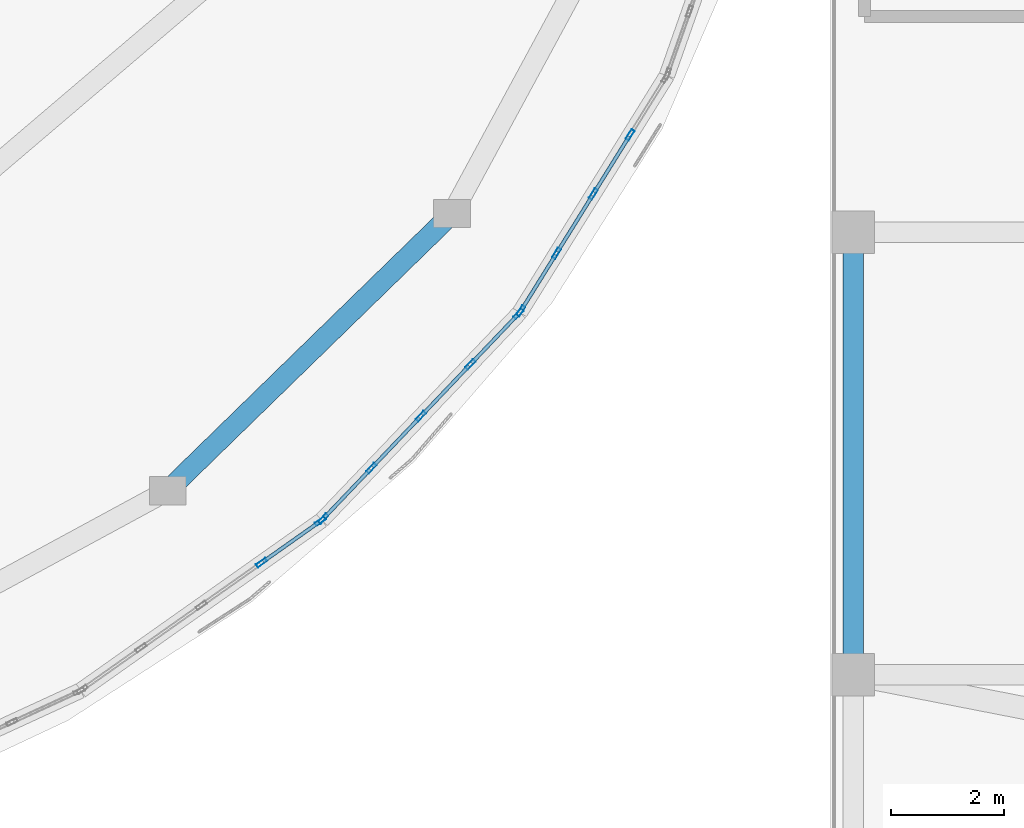
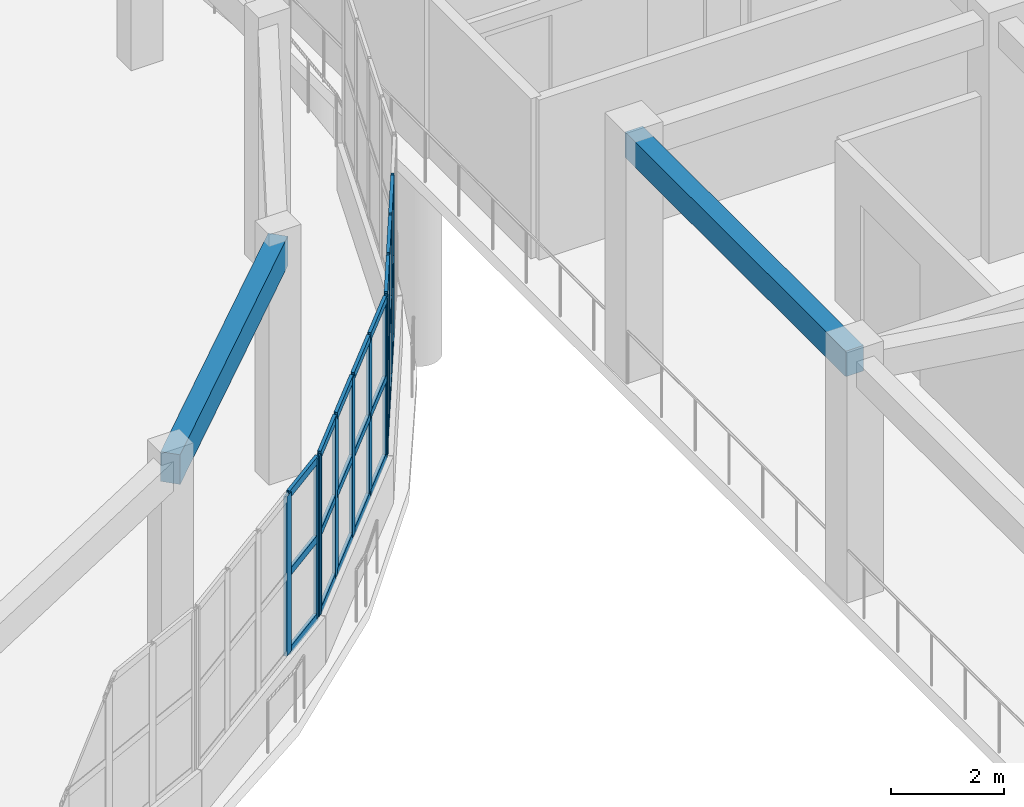
# One storey, part 52 of 96: 35 members, 2 beams, 3 elements without a shape of their own.
"""IFC4 building model written with IfcOpenShell, lengths in metres."""

from ifc_helpers import new_model, si_unit, direction, frame, origin, origin_2d, place, context, subcontext, project, spatial, rectangle, hollow_rectangle, extrude, material, layer, layer_set, material_profile, profile_set, type_object, element, aggregate, save


model = new_model("IFC4")

# Units and contexts
model_context = context("Model", 3, precision=1e-05, world=origin(), true_north=direction((0.0, 1.0)))
body_context = subcontext(model_context, "Body", "Model", "MODEL_VIEW")
ifc_project = project(units=[si_unit("LENGTHUNIT", "METRE"), si_unit("AREAUNIT", "SQUARE_METRE"), si_unit("VOLUMEUNIT", "CUBIC_METRE"), si_unit("PLANEANGLEUNIT", "RADIAN"), si_unit("MASSUNIT", "GRAM", prefix="KILO")], contexts=[model_context])

# Site, building, storey
site_placement = place(None, origin())
site = spatial("IfcSite", under=ifc_project, at=site_placement, CompositionType="ELEMENT")
building_placement = place(site_placement, origin())
building = spatial("IfcBuilding", under=site, at=building_placement, Name="Pelvatis Terrace Science Centre", CompositionType="ELEMENT")
storey_placement = place(building_placement, origin())
storey = spatial("IfcBuildingStorey", under=building, at=storey_placement, Name="L00", CompositionType="ELEMENT", Elevation=0.0)

# Beam
ifc_material_1 = material(Name="Concrete C35/45", Category="concrete")
ifc_material_profile_1 = material_profile(ifc_material_1, rectangle(XDim=0.360107421875, YDim=0.550048828125, at=origin_2d()), Name="RC-BM 360x550")
ifc_profile_set_1 = profile_set([ifc_material_profile_1], Name="Concrete C35/45")
beam_type_1 = type_object("IfcBeamType", Name="BM-RC-360x550", PredefinedType="BEAM", material=ifc_profile_set_1)
beam_1_placement = place(storey_placement, frame((140.800048828125, 62.39990234375, 4.864990234375), z_axis=(0.0, 1.0, 0.0), x_axis=(-1.0, 0.0, 0.0)))
element("IfcBeam", 1, at=beam_1_placement, inside=storey, type_object=beam_type_1, Name="Beam BM-L00-2483", PredefinedType="BEAM", context=body_context, shape_type="SweptSolid", body=[
    extrude(rectangle(XDim=0.360107421875, YDim=0.550048828125, at=origin_2d()), origin(), (0.0, 0.0, 1.0), 7.800048828125),
])

# Curtain wall, members
ifc_material_2 = material(Name="Bronze-anodised aluminium and laminated glass", Category="aluminium")
ifc_layer = layer(ifc_material_2, 0.199951171875)
ifc_layer_set = layer_set([ifc_layer], Name="Bronze-anodised aluminium and laminated glass")
curtain_wall_type = type_object("IfcCurtainWallType", Name="CW-RIBBON-B", PredefinedType="NOTDEFINED", material=ifc_layer_set)
curtain_wall_1_placement = place(storey_placement, origin())
curtain_wall_1 = element("IfcCurtainWall", 2, at=curtain_wall_1_placement, inside=storey, type_object=curtain_wall_type, Name="Ribbon curtain wall CW-122 (L00)", PredefinedType="NOTDEFINED")
ifc_material_3 = material(Name="Bronze-anodised aluminium 6063-T6", Category="aluminium")
ifc_material_profile_2 = material_profile(ifc_material_3, hollow_rectangle(XDim=0.06494140625, YDim=0.199951171875, WallThickness=0.00439453125, at=origin_2d()), Name="ALU-MUL 65x200")
ifc_profile_set_2 = profile_set([ifc_material_profile_2], Name="Bronze-anodised aluminium 6063-T6")
member_type_1 = type_object("IfcMemberType", Name="CWM-65x200", PredefinedType="MULLION", material=ifc_profile_set_2)
member_1_placement = place(storey_placement, frame((130.37158203125, 64.37255859375, 1.02001953125), z_axis=(0.0, 0.0, 1.0), x_axis=(-0.577064835369, 0.816698338299, 0.0)))
member_1 = element("IfcMember", 3, at=member_1_placement, type_object=member_type_1, Name="CW-122 mullion 4", PredefinedType="MULLION", context=body_context, shape_type="SweptSolid", body=[
    extrude(hollow_rectangle(XDim=0.06494140625, YDim=0.199951171875, WallThickness=0.00439453125, at=origin_2d()), origin(), (0.0, 0.0, 1.0), 3.43994140625),
])
member_2_placement = place(storey_placement, frame((131.40771484375, 65.104736328125, 1.02001953125), z_axis=(0.0, 0.0, 1.0), x_axis=(-0.577064835369, 0.816698338299, 0.0)))
member_2 = element("IfcMember", 4, at=member_2_placement, type_object=member_type_1, Name="CW-122 mullion 5", PredefinedType="MULLION", context=body_context, shape_type="SweptSolid", body=[
    extrude(hollow_rectangle(XDim=0.06494140625, YDim=0.199951171875, WallThickness=0.00439453125, at=origin_2d()), origin(), (0.0, 0.0, 1.0), 3.43994140625),
])

curtain_wall_2_placement = place(storey_placement, origin())
curtain_wall_2 = element("IfcCurtainWall", 5, at=curtain_wall_2_placement, inside=storey, type_object=curtain_wall_type, Name="Ribbon curtain wall CW-123 (L00)", PredefinedType="NOTDEFINED")
member_3_placement = place(storey_placement, frame((131.456787109375, 65.14697265625, 1.02001953125), z_axis=(0.0, 0.0, 1.0), x_axis=(-0.723834942686, 0.689973170309, 0.0)))
member_3 = element("IfcMember", 6, at=member_3_placement, type_object=member_type_1, Name="CW-123 mullion 1", PredefinedType="MULLION", context=body_context, shape_type="SweptSolid", body=[
    extrude(hollow_rectangle(XDim=0.06494140625, YDim=0.199951171875, WallThickness=0.00439453125, at=origin_2d()), origin(), (0.0, 0.0, 1.0), 3.43994140625),
])
member_4_placement = place(storey_placement, frame((132.306396484375, 66.038330078125, 1.02001953125), z_axis=(0.0, 0.0, 1.0), x_axis=(-0.723834942686, 0.689973170309, 0.0)))
member_4 = element("IfcMember", 7, at=member_4_placement, type_object=member_type_1, Name="CW-123 mullion 2", PredefinedType="MULLION", context=body_context, shape_type="SweptSolid", body=[
    extrude(hollow_rectangle(XDim=0.06494140625, YDim=0.199951171875, WallThickness=0.00439453125, at=origin_2d()), origin(), (0.0, 0.0, 1.0), 3.43994140625),
])
member_5_placement = place(storey_placement, frame((133.178466796875, 66.953125, 1.02001953125), z_axis=(0.0, 0.0, 1.0), x_axis=(-0.723834942686, 0.689973170309, 0.0)))
member_5 = element("IfcMember", 8, at=member_5_placement, type_object=member_type_1, Name="CW-123 mullion 3", PredefinedType="MULLION", context=body_context, shape_type="SweptSolid", body=[
    extrude(hollow_rectangle(XDim=0.06494140625, YDim=0.199951171875, WallThickness=0.00439453125, at=origin_2d()), origin(), (0.0, 0.0, 1.0), 3.43994140625),
])
member_6_placement = place(storey_placement, frame((134.050537109375, 67.8681640625, 1.02001953125), z_axis=(0.0, 0.0, 1.0), x_axis=(-0.723834942686, 0.689973170309, 0.0)))
member_6 = element("IfcMember", 9, at=member_6_placement, type_object=member_type_1, Name="CW-123 mullion 4", PredefinedType="MULLION", context=body_context, shape_type="SweptSolid", body=[
    extrude(hollow_rectangle(XDim=0.06494140625, YDim=0.199951171875, WallThickness=0.00439453125, at=origin_2d()), origin(), (0.0, 0.0, 1.0), 3.43994140625),
])
member_7_placement = place(storey_placement, frame((134.900390625, 68.759521484375, 1.02001953125), z_axis=(0.0, 0.0, 1.0), x_axis=(-0.723834942686, 0.689973170309, 0.0)))
member_7 = element("IfcMember", 10, at=member_7_placement, type_object=member_type_1, Name="CW-123 mullion 5", PredefinedType="MULLION", context=body_context, shape_type="SweptSolid", body=[
    extrude(hollow_rectangle(XDim=0.06494140625, YDim=0.199951171875, WallThickness=0.00439453125, at=origin_2d()), origin(), (0.0, 0.0, 1.0), 3.43994140625),
])

curtain_wall_3_placement = place(storey_placement, origin())
curtain_wall_3 = element("IfcCurtainWall", 11, at=curtain_wall_3_placement, inside=storey, type_object=curtain_wall_type, Name="Ribbon curtain wall CW-124 (L00)", PredefinedType="NOTDEFINED")
member_8_placement = place(storey_placement, frame((134.93994140625, 68.810546875, 1.02001953125), z_axis=(0.0, 0.0, 1.0), x_axis=(-0.849585771235, 0.527450488022, 0.0)))
member_8 = element("IfcMember", 12, at=member_8_placement, type_object=member_type_1, Name="CW-124 mullion 1", PredefinedType="MULLION", context=body_context, shape_type="SweptSolid", body=[
    extrude(hollow_rectangle(XDim=0.06494140625, YDim=0.199951171875, WallThickness=0.00439453125, at=origin_2d()), origin(), (0.0, 0.0, 1.0), 3.43994140625),
])
member_9_placement = place(storey_placement, frame((135.57080078125, 69.826904296875, 1.02001953125), z_axis=(0.0, 0.0, 1.0), x_axis=(-0.849585771235, 0.527450488022, 0.0)))
member_9 = element("IfcMember", 13, at=member_9_placement, type_object=member_type_1, Name="CW-124 mullion 2", PredefinedType="MULLION", context=body_context, shape_type="SweptSolid", body=[
    extrude(hollow_rectangle(XDim=0.06494140625, YDim=0.199951171875, WallThickness=0.00439453125, at=origin_2d()), origin(), (0.0, 0.0, 1.0), 3.43994140625),
])
member_10_placement = place(storey_placement, frame((136.21875, 70.87060546875, 1.02001953125), z_axis=(0.0, 0.0, 1.0), x_axis=(-0.849585771235, 0.527450488022, 0.0)))
member_10 = element("IfcMember", 14, at=member_10_placement, type_object=member_type_1, Name="CW-124 mullion 3", PredefinedType="MULLION", context=body_context, shape_type="SweptSolid", body=[
    extrude(hollow_rectangle(XDim=0.06494140625, YDim=0.199951171875, WallThickness=0.00439453125, at=origin_2d()), origin(), (0.0, 0.0, 1.0), 3.43994140625),
])
member_11_placement = place(storey_placement, frame((136.86669921875, 71.914306640625, 1.02001953125), z_axis=(0.0, 0.0, 1.0), x_axis=(-0.849585771235, 0.527450488022, 0.0)))
member_11 = element("IfcMember", 15, at=member_11_placement, type_object=member_type_1, Name="CW-124 mullion 4", PredefinedType="MULLION", context=body_context, shape_type="SweptSolid", body=[
    extrude(hollow_rectangle(XDim=0.06494140625, YDim=0.199951171875, WallThickness=0.00439453125, at=origin_2d()), origin(), (0.0, 0.0, 1.0), 3.43994140625),
])

# Member
ifc_material_4 = material(Name="Bronze-anodised aluminium 6063-T6", Category="aluminium")
ifc_material_profile_3 = material_profile(ifc_material_4, hollow_rectangle(XDim=0.06494140625, YDim=0.159912109375, WallThickness=0.00390625, at=origin_2d()), Name="ALU-TRN 65x160")
ifc_profile_set_3 = profile_set([ifc_material_profile_3], Name="Bronze-anodised aluminium 6063-T6")
member_type_2 = type_object("IfcMemberType", Name="CWT-65x160", PredefinedType="USERDEFINED", material=ifc_profile_set_3)
member_12_placement = place(storey_placement, frame((130.398193359375, 64.391357421875, 1.052490234375), z_axis=(0.816669805215, 0.577105215061, 0.0), x_axis=(-0.577105215061, 0.816669805215, 0.0)))
member_12 = element("IfcMember", 16, at=member_12_placement, type_object=member_type_2, Name="CW-122 transom 4.1", ObjectType="TRANSOM", PredefinedType="USERDEFINED", context=body_context, shape_type="SweptSolid", body=[
    extrude(hollow_rectangle(XDim=0.06494140625, YDim=0.159912109375, WallThickness=0.00390625, at=origin_2d()), origin(), (0.0, 0.0, 1.0), 1.20361328125),
])

member_13_placement = place(storey_placement, frame((130.398193359375, 64.391357421875, 2.739990234375), z_axis=(0.816669805215, 0.577105215061, 0.0), x_axis=(-0.577105215061, 0.816669805215, 0.0)))
member_13 = element("IfcMember", 17, at=member_13_placement, type_object=member_type_2, Name="CW-122 transom 4.2", ObjectType="TRANSOM", PredefinedType="USERDEFINED", context=body_context, shape_type="SweptSolid", body=[
    extrude(hollow_rectangle(XDim=0.06494140625, YDim=0.159912109375, WallThickness=0.00390625, at=origin_2d()), origin(), (0.0, 0.0, 1.0), 1.20361328125),
])

member_14_placement = place(storey_placement, frame((130.398193359375, 64.391357421875, 4.427490234375), z_axis=(0.816669805215, 0.577105215061, 0.0), x_axis=(-0.577105215061, 0.816669805215, 0.0)))
member_14 = element("IfcMember", 18, at=member_14_placement, type_object=member_type_2, Name="CW-122 transom 4.3", ObjectType="TRANSOM", PredefinedType="USERDEFINED", context=body_context, shape_type="SweptSolid", body=[
    extrude(hollow_rectangle(XDim=0.06494140625, YDim=0.159912109375, WallThickness=0.00390625, at=origin_2d()), origin(), (0.0, 0.0, 1.0), 1.20361328125),
])

aggregate(curtain_wall_1, [member_1, member_2, member_12, member_13, member_14])

member_15_placement = place(storey_placement, frame((131.479248046875, 65.17041015625, 1.052490234375), z_axis=(0.68984329256, 0.72395872238, 0.0), x_axis=(-0.72395872238, 0.68984329256, 0.0)))
member_15 = element("IfcMember", 19, at=member_15_placement, type_object=member_type_2, Name="CW-123 transom 1.1", ObjectType="TRANSOM", PredefinedType="USERDEFINED", context=body_context, shape_type="SweptSolid", body=[
    extrude(hollow_rectangle(XDim=0.06494140625, YDim=0.159912109375, WallThickness=0.00390625, at=origin_2d()), origin(), (0.0, 0.0, 1.0), 1.16650390625),
])

member_16_placement = place(storey_placement, frame((131.479248046875, 65.17041015625, 2.739990234375), z_axis=(0.68984329256, 0.72395872238, 0.0), x_axis=(-0.72395872238, 0.68984329256, 0.0)))
member_16 = element("IfcMember", 20, at=member_16_placement, type_object=member_type_2, Name="CW-123 transom 1.2", ObjectType="TRANSOM", PredefinedType="USERDEFINED", context=body_context, shape_type="SweptSolid", body=[
    extrude(hollow_rectangle(XDim=0.06494140625, YDim=0.159912109375, WallThickness=0.00390625, at=origin_2d()), origin(), (0.0, 0.0, 1.0), 1.16650390625),
])

member_17_placement = place(storey_placement, frame((131.479248046875, 65.17041015625, 4.427490234375), z_axis=(0.68984329256, 0.72395872238, 0.0), x_axis=(-0.72395872238, 0.68984329256, 0.0)))
member_17 = element("IfcMember", 21, at=member_17_placement, type_object=member_type_2, Name="CW-123 transom 1.3", ObjectType="TRANSOM", PredefinedType="USERDEFINED", context=body_context, shape_type="SweptSolid", body=[
    extrude(hollow_rectangle(XDim=0.06494140625, YDim=0.159912109375, WallThickness=0.00390625, at=origin_2d()), origin(), (0.0, 0.0, 1.0), 1.16650390625),
])

member_18_placement = place(storey_placement, frame((132.328857421875, 66.061767578125, 1.052490234375), z_axis=(0.689899198956, 0.723905446367, 0.0), x_axis=(-0.723905446367, 0.689899198956, 0.0)))
member_18 = element("IfcMember", 22, at=member_18_placement, type_object=member_type_2, Name="CW-123 transom 2.1", ObjectType="TRANSOM", PredefinedType="USERDEFINED", context=body_context, shape_type="SweptSolid", body=[
    extrude(hollow_rectangle(XDim=0.06494140625, YDim=0.159912109375, WallThickness=0.00390625, at=origin_2d()), origin(), (0.0, 0.0, 1.0), 1.198974609375),
])

member_19_placement = place(storey_placement, frame((132.328857421875, 66.061767578125, 2.739990234375), z_axis=(0.689899198956, 0.723905446367, 0.0), x_axis=(-0.723905446367, 0.689899198956, 0.0)))
member_19 = element("IfcMember", 23, at=member_19_placement, type_object=member_type_2, Name="CW-123 transom 2.2", ObjectType="TRANSOM", PredefinedType="USERDEFINED", context=body_context, shape_type="SweptSolid", body=[
    extrude(hollow_rectangle(XDim=0.06494140625, YDim=0.159912109375, WallThickness=0.00390625, at=origin_2d()), origin(), (0.0, 0.0, 1.0), 1.198974609375),
])

member_20_placement = place(storey_placement, frame((132.328857421875, 66.061767578125, 4.427490234375), z_axis=(0.689899198956, 0.723905446367, 0.0), x_axis=(-0.723905446367, 0.689899198956, 0.0)))
member_20 = element("IfcMember", 24, at=member_20_placement, type_object=member_type_2, Name="CW-123 transom 2.3", ObjectType="TRANSOM", PredefinedType="USERDEFINED", context=body_context, shape_type="SweptSolid", body=[
    extrude(hollow_rectangle(XDim=0.06494140625, YDim=0.159912109375, WallThickness=0.00390625, at=origin_2d()), origin(), (0.0, 0.0, 1.0), 1.198974609375),
])

member_21_placement = place(storey_placement, frame((133.200927734375, 66.976806640625, 1.052490234375), z_axis=(0.690000904509, 0.723808504907, 0.0), x_axis=(-0.723808504907, 0.690000904509, 0.0)))
member_21 = element("IfcMember", 25, at=member_21_placement, type_object=member_type_2, Name="CW-123 transom 3.1", ObjectType="TRANSOM", PredefinedType="USERDEFINED", context=body_context, shape_type="SweptSolid", body=[
    extrude(hollow_rectangle(XDim=0.06494140625, YDim=0.159912109375, WallThickness=0.00390625, at=origin_2d()), origin(), (0.0, 0.0, 1.0), 1.19873046875),
])

member_22_placement = place(storey_placement, frame((133.200927734375, 66.976806640625, 2.739990234375), z_axis=(0.690000904509, 0.723808504907, 0.0), x_axis=(-0.723808504907, 0.690000904509, 0.0)))
member_22 = element("IfcMember", 26, at=member_22_placement, type_object=member_type_2, Name="CW-123 transom 3.2", ObjectType="TRANSOM", PredefinedType="USERDEFINED", context=body_context, shape_type="SweptSolid", body=[
    extrude(hollow_rectangle(XDim=0.06494140625, YDim=0.159912109375, WallThickness=0.00390625, at=origin_2d()), origin(), (0.0, 0.0, 1.0), 1.19873046875),
])

member_23_placement = place(storey_placement, frame((133.200927734375, 66.976806640625, 4.427490234375), z_axis=(0.690000904509, 0.723808504907, 0.0), x_axis=(-0.723808504907, 0.690000904509, 0.0)))
member_23 = element("IfcMember", 27, at=member_23_placement, type_object=member_type_2, Name="CW-123 transom 3.3", ObjectType="TRANSOM", PredefinedType="USERDEFINED", context=body_context, shape_type="SweptSolid", body=[
    extrude(hollow_rectangle(XDim=0.06494140625, YDim=0.159912109375, WallThickness=0.00390625, at=origin_2d()), origin(), (0.0, 0.0, 1.0), 1.19873046875),
])

member_24_placement = place(storey_placement, frame((134.072998046875, 67.8916015625, 1.052490234375), z_axis=(0.690057486655, 0.723754561375, 0.0), x_axis=(-0.723754561375, 0.690057486655, 0.0)))
member_24 = element("IfcMember", 28, at=member_24_placement, type_object=member_type_2, Name="CW-123 transom 4.1", ObjectType="TRANSOM", PredefinedType="USERDEFINED", context=body_context, shape_type="SweptSolid", body=[
    extrude(hollow_rectangle(XDim=0.06494140625, YDim=0.159912109375, WallThickness=0.00390625, at=origin_2d()), origin(), (0.0, 0.0, 1.0), 1.16650390625),
])

member_25_placement = place(storey_placement, frame((134.072998046875, 67.8916015625, 2.739990234375), z_axis=(0.690057486655, 0.723754561375, 0.0), x_axis=(-0.723754561375, 0.690057486655, 0.0)))
member_25 = element("IfcMember", 29, at=member_25_placement, type_object=member_type_2, Name="CW-123 transom 4.2", ObjectType="TRANSOM", PredefinedType="USERDEFINED", context=body_context, shape_type="SweptSolid", body=[
    extrude(hollow_rectangle(XDim=0.06494140625, YDim=0.159912109375, WallThickness=0.00390625, at=origin_2d()), origin(), (0.0, 0.0, 1.0), 1.16650390625),
])

member_26_placement = place(storey_placement, frame((134.072998046875, 67.8916015625, 4.427490234375), z_axis=(0.690057486655, 0.723754561375, 0.0), x_axis=(-0.723754561375, 0.690057486655, 0.0)))
member_26 = element("IfcMember", 30, at=member_26_placement, type_object=member_type_2, Name="CW-123 transom 4.3", ObjectType="TRANSOM", PredefinedType="USERDEFINED", context=body_context, shape_type="SweptSolid", body=[
    extrude(hollow_rectangle(XDim=0.06494140625, YDim=0.159912109375, WallThickness=0.00390625, at=origin_2d()), origin(), (0.0, 0.0, 1.0), 1.16650390625),
])

aggregate(curtain_wall_2, [member_3, member_4, member_5, member_6, member_7, member_15, member_16, member_17, member_18, member_19, member_20, member_21, member_22, member_23, member_24, member_25, member_26])

member_27_placement = place(storey_placement, frame((134.95703125, 68.838134765625, 1.052490234375), z_axis=(0.527357488311, 0.84964350143, 0.0), x_axis=(-0.84964350143, 0.527357488311, 0.0)))
member_27 = element("IfcMember", 31, at=member_27_placement, type_object=member_type_2, Name="CW-124 transom 1.1", ObjectType="TRANSOM", PredefinedType="USERDEFINED", context=body_context, shape_type="SweptSolid", body=[
    extrude(hollow_rectangle(XDim=0.06494140625, YDim=0.159912109375, WallThickness=0.00390625, at=origin_2d()), origin(), (0.0, 0.0, 1.0), 1.131103515625),
])

member_28_placement = place(storey_placement, frame((134.95703125, 68.838134765625, 2.739990234375), z_axis=(0.527357488311, 0.84964350143, 0.0), x_axis=(-0.84964350143, 0.527357488311, 0.0)))
member_28 = element("IfcMember", 32, at=member_28_placement, type_object=member_type_2, Name="CW-124 transom 1.2", ObjectType="TRANSOM", PredefinedType="USERDEFINED", context=body_context, shape_type="SweptSolid", body=[
    extrude(hollow_rectangle(XDim=0.06494140625, YDim=0.159912109375, WallThickness=0.00390625, at=origin_2d()), origin(), (0.0, 0.0, 1.0), 1.131103515625),
])

member_29_placement = place(storey_placement, frame((134.95703125, 68.838134765625, 4.427490234375), z_axis=(0.527357488311, 0.84964350143, 0.0), x_axis=(-0.84964350143, 0.527357488311, 0.0)))
member_29 = element("IfcMember", 33, at=member_29_placement, type_object=member_type_2, Name="CW-124 transom 1.3", ObjectType="TRANSOM", PredefinedType="USERDEFINED", context=body_context, shape_type="SweptSolid", body=[
    extrude(hollow_rectangle(XDim=0.06494140625, YDim=0.159912109375, WallThickness=0.00390625, at=origin_2d()), origin(), (0.0, 0.0, 1.0), 1.131103515625),
])

member_30_placement = place(storey_placement, frame((135.587890625, 69.8544921875, 1.052490234375), z_axis=(0.527488207903, 0.849562352346, 0.0), x_axis=(-0.849562352346, 0.527488207903, 0.0)))
member_30 = element("IfcMember", 34, at=member_30_placement, type_object=member_type_2, Name="CW-124 transom 2.1", ObjectType="TRANSOM", PredefinedType="USERDEFINED", context=body_context, shape_type="SweptSolid", body=[
    extrude(hollow_rectangle(XDim=0.06494140625, YDim=0.159912109375, WallThickness=0.00390625, at=origin_2d()), origin(), (0.0, 0.0, 1.0), 1.16357421875),
])

member_31_placement = place(storey_placement, frame((135.587890625, 69.8544921875, 2.739990234375), z_axis=(0.527488207903, 0.849562352346, 0.0), x_axis=(-0.849562352346, 0.527488207903, 0.0)))
member_31 = element("IfcMember", 35, at=member_31_placement, type_object=member_type_2, Name="CW-124 transom 2.2", ObjectType="TRANSOM", PredefinedType="USERDEFINED", context=body_context, shape_type="SweptSolid", body=[
    extrude(hollow_rectangle(XDim=0.06494140625, YDim=0.159912109375, WallThickness=0.00390625, at=origin_2d()), origin(), (0.0, 0.0, 1.0), 1.16357421875),
])

member_32_placement = place(storey_placement, frame((135.587890625, 69.8544921875, 4.427490234375), z_axis=(0.527488207903, 0.849562352346, 0.0), x_axis=(-0.849562352346, 0.527488207903, 0.0)))
member_32 = element("IfcMember", 36, at=member_32_placement, type_object=member_type_2, Name="CW-124 transom 2.3", ObjectType="TRANSOM", PredefinedType="USERDEFINED", context=body_context, shape_type="SweptSolid", body=[
    extrude(hollow_rectangle(XDim=0.06494140625, YDim=0.159912109375, WallThickness=0.00390625, at=origin_2d()), origin(), (0.0, 0.0, 1.0), 1.16357421875),
])

member_33_placement = place(storey_placement, frame((136.23583984375, 70.898193359375, 1.052490234375), z_axis=(0.527488207903, 0.849562352346, 0.0), x_axis=(-0.849562352346, 0.527488207903, 0.0)))
member_33 = element("IfcMember", 37, at=member_33_placement, type_object=member_type_2, Name="CW-124 transom 3.1", ObjectType="TRANSOM", PredefinedType="USERDEFINED", context=body_context, shape_type="SweptSolid", body=[
    extrude(hollow_rectangle(XDim=0.06494140625, YDim=0.159912109375, WallThickness=0.00390625, at=origin_2d()), origin(), (0.0, 0.0, 1.0), 1.16357421875),
])

member_34_placement = place(storey_placement, frame((136.23583984375, 70.898193359375, 2.739990234375), z_axis=(0.527488207903, 0.849562352346, 0.0), x_axis=(-0.849562352346, 0.527488207903, 0.0)))
member_34 = element("IfcMember", 38, at=member_34_placement, type_object=member_type_2, Name="CW-124 transom 3.2", ObjectType="TRANSOM", PredefinedType="USERDEFINED", context=body_context, shape_type="SweptSolid", body=[
    extrude(hollow_rectangle(XDim=0.06494140625, YDim=0.159912109375, WallThickness=0.00390625, at=origin_2d()), origin(), (0.0, 0.0, 1.0), 1.16357421875),
])

member_35_placement = place(storey_placement, frame((136.23583984375, 70.898193359375, 4.427490234375), z_axis=(0.527488207903, 0.849562352346, 0.0), x_axis=(-0.849562352346, 0.527488207903, 0.0)))
member_35 = element("IfcMember", 39, at=member_35_placement, type_object=member_type_2, Name="CW-124 transom 3.3", ObjectType="TRANSOM", PredefinedType="USERDEFINED", context=body_context, shape_type="SweptSolid", body=[
    extrude(hollow_rectangle(XDim=0.06494140625, YDim=0.159912109375, WallThickness=0.00390625, at=origin_2d()), origin(), (0.0, 0.0, 1.0), 1.16357421875),
])

aggregate(curtain_wall_3, [member_8, member_9, member_10, member_11, member_27, member_28, member_29, member_30, member_31, member_32, member_33, member_34, member_35])

# Beam
ifc_material_5 = material(Name="Concrete C35/45", Category="concrete")
ifc_material_profile_4 = material_profile(ifc_material_5, rectangle(XDim=0.360107421875, YDim=0.639892578125, at=origin_2d()), Name="RC-SPN 360x640")
ifc_profile_set_4 = profile_set([ifc_material_profile_4], Name="Concrete C35/45")
beam_type_2 = type_object("IfcBeamType", Name="SPN-RC-360x640", PredefinedType="SPANDREL", material=ifc_profile_set_4)
beam_2_placement = place(storey_placement, frame((128.7158203125, 65.64453125, 4.820068359375), z_axis=(0.716393642318, 0.697696315918, 0.0), x_axis=(-0.697696315918, 0.716393642318, 0.0)))
element("IfcBeam", 40, at=beam_2_placement, inside=storey, type_object=beam_type_2, Name="Spandrel SP-L00-2299", PredefinedType="SPANDREL", context=body_context, shape_type="SweptSolid", body=[
    extrude(rectangle(XDim=0.360107421875, YDim=0.639892578125, at=origin_2d()), origin(), (0.0, 0.0, 1.0), 6.998779296875),
])

save(model, "model.ifc")
